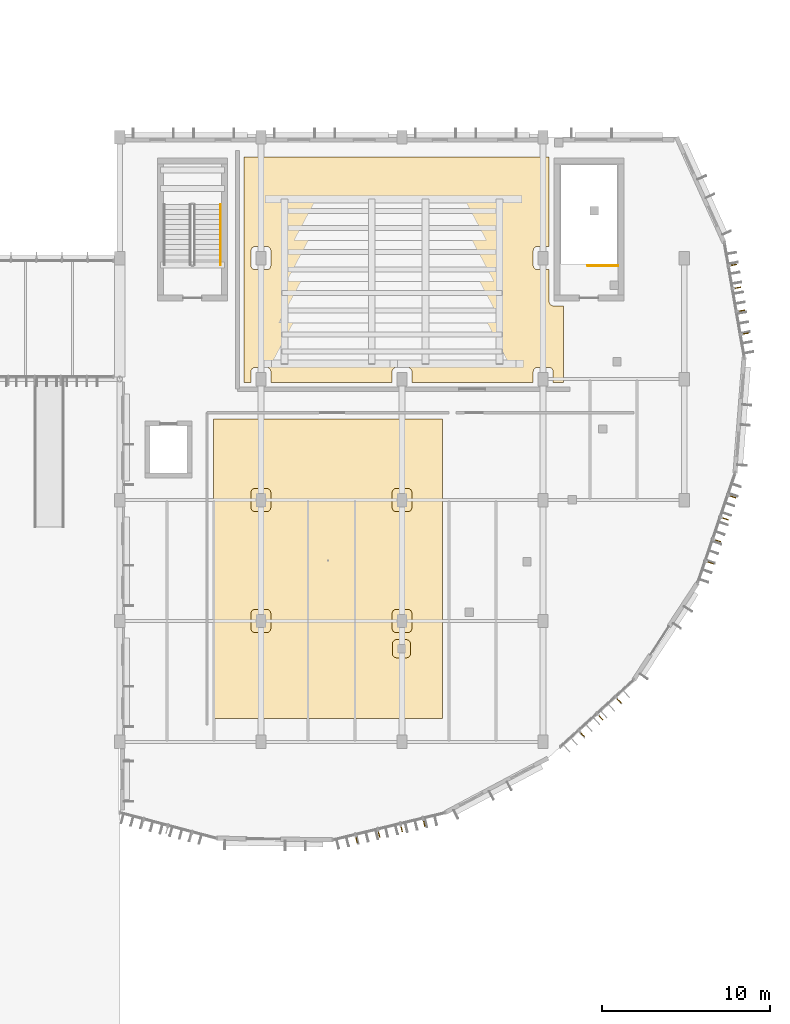
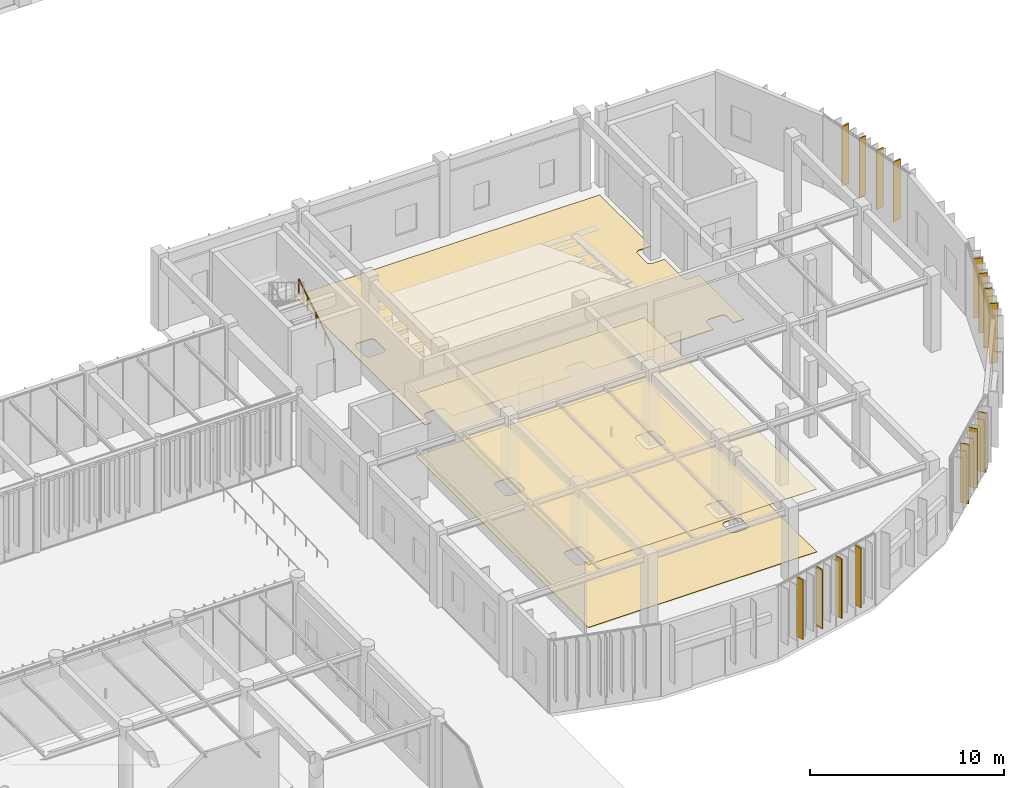
# One storey, part 121 of 122: 15 shading devices, 3 coverings, 2 railings.
"""IFC4 building model written with IfcOpenShell, lengths in metres."""

import ifcopenshell
import ifcopenshell.guid

model = None  # the IFC model being written
_history = None  # IfcOwnerHistory: only IFC2X3 demands one
_inside = {}  # id of a spatial element -> (the spatial element, [elements in it])
_under = {}  # id of a project, library or spatial element -> (it, [spatial elements below it])
_declared = {}  # id of a project -> (the project, [libraries it declares])
_typed = {}  # id of a type object -> (the type object, [elements of that type])
_made_of = {}  # id of a material, layer set ... -> (it, [elements and type objects made of it])


def new_model(schema):
    """Start an empty IFC model of exactly this schema.

    Asked for "IFC4X3", IfcOpenShell would pick the latest addendum, in which some entities
    have other attributes; the version numbers below select the first issue.
    IFC2X3 requires an IfcOwnerHistory on every rooted entity: one is made here for all.
    """
    global model, _history
    if schema == "IFC4X3":
        model = ifcopenshell.file(schema_version=(4, 3, 0, 0))
    else:
        model = ifcopenshell.file(schema=schema)
    _inside.clear()
    _under.clear()
    _declared.clear()
    _typed.clear()
    _made_of.clear()
    _history = None
    if model.schema == "IFC2X3":
        org = make("IfcOrganization", Name="unknown")
        user = make(
            "IfcPersonAndOrganization",
            ThePerson=make("IfcPerson", FamilyName="unknown"),
            TheOrganization=org,
        )
        app = make(
            "IfcApplication",
            ApplicationDeveloper=org,
            Version="unknown",
            ApplicationFullName="unknown",
            ApplicationIdentifier="unknown",
        )
        _history = make(
            "IfcOwnerHistory",
            OwningUser=user,
            OwningApplication=app,
            ChangeAction="ADDED",
            CreationDate=0,
        )
    return model


def make(cls, **values):
    """One entity of the class cls with the attributes given. An attribute that is None is left unset."""
    return model.create_entity(
        cls, **{name: value for name, value in values.items() if value is not None}
    )


def rooted(cls, **values):
    """An entity with a GlobalId (a new one), such as an element, a storey or a relation."""
    return make(cls, GlobalId=ifcopenshell.guid.new(), OwnerHistory=_history, **values)


def si_unit(unit_type, name, prefix=None):
    """IfcSIUnit, for example si_unit("LENGTHUNIT", "METRE", prefix="MILLI")."""
    return make("IfcSIUnit", UnitType=unit_type, Prefix=prefix, Name=name)


def assignment(units):
    """IfcUnitAssignment: the units of a project."""
    return None if units is None else make("IfcUnitAssignment", Units=units)


def point(xyz):
    """IfcCartesianPoint."""
    return None if xyz is None else make("IfcCartesianPoint", Coordinates=xyz)


def direction(xyz):
    """IfcDirection."""
    return None if xyz is None else make("IfcDirection", DirectionRatios=xyz)


def frame(location, z_axis=None, x_axis=None):
    """IfcAxis2Placement3D, a coordinate frame: its origin and axes. An axis left out is left unset."""
    return make(
        "IfcAxis2Placement3D",
        Location=point(location),
        Axis=direction(z_axis),
        RefDirection=direction(x_axis),
    )


def frame_2d(location, x_axis=None):
    """IfcAxis2Placement2D, a coordinate frame in the plane: its origin and x axis."""
    return make(
        "IfcAxis2Placement2D", Location=point(location), RefDirection=direction(x_axis)
    )


def origin():
    """The frame at (0, 0, 0) with its axes left unset."""
    return frame((0.0, 0.0, 0.0))


def origin_2d():
    """The frame at (0, 0) in the plane with its x axis left unset."""
    return frame_2d((0.0, 0.0))


def place(relative_to, where):
    """IfcLocalPlacement: puts the frame where relative to a parent placement (None: the world)."""
    return make(
        "IfcLocalPlacement", PlacementRelTo=relative_to, RelativePlacement=where
    )


def context(
    kind, dimensions, precision=None, world=None, true_north=None, identifier=None
):
    """IfcGeometricRepresentationContext, for example the 3D "Model" context."""
    return make(
        "IfcGeometricRepresentationContext",
        ContextIdentifier=identifier,
        ContextType=kind,
        CoordinateSpaceDimension=dimensions,
        Precision=precision,
        WorldCoordinateSystem=world,
        TrueNorth=true_north,
    )


def subcontext(parent, identifier, kind, view, scale=None):
    """IfcGeometricRepresentationSubContext, for example "Body" below "Model"."""
    return make(
        "IfcGeometricRepresentationSubContext",
        ContextIdentifier=identifier,
        ContextType=kind,
        ParentContext=parent,
        TargetScale=scale,
        TargetView=view,
    )


def project(units=None, contexts=None):
    """IfcProject with its units and contexts."""
    return rooted(
        "IfcProject",
        Name="project",
        RepresentationContexts=contexts,
        UnitsInContext=assignment(units),
    )


def spatial(cls, under=None, at=None, **own):
    """A site, building, storey or space (cls), placed at a placement, below another one or the project."""
    s = rooted(cls, ObjectPlacement=at, **own)
    if under is not None:
        _under.setdefault(under.id(), (under, []))[1].append(s)
    return s


def polyline(points):
    """IfcPolyline through the points."""
    return make("IfcPolyline", Points=[point(p) for p in points])


def profile(cls, at=None, kind="AREA", **sizes):
    """A parametric profile (cls). Its sizes go by their IFC names, for example OverallWidth=200.0."""
    return make(cls, ProfileType=kind, Position=at, **sizes)


def rectangle(**sizes):
    """IfcRectangleProfileDef."""
    return profile("IfcRectangleProfileDef", **sizes)


def circle(**sizes):
    """IfcCircleProfileDef."""
    return profile("IfcCircleProfileDef", **sizes)


def outline(outer, holes=None, kind="AREA"):
    """IfcArbitraryClosedProfileDef: a profile drawn as a closed curve; with holes, ...WithVoids."""
    if holes is None:
        return make("IfcArbitraryClosedProfileDef", ProfileType=kind, OuterCurve=outer)
    return make(
        "IfcArbitraryProfileDefWithVoids",
        ProfileType=kind,
        OuterCurve=outer,
        InnerCurves=holes,
    )


def extrude(swept, where, along, depth):
    """IfcExtrudedAreaSolid: the profile swept, set in the frame where, extruded along a direction by depth."""
    return make(
        "IfcExtrudedAreaSolid",
        SweptArea=swept,
        Position=where,
        ExtrudedDirection=direction(along),
        Depth=depth,
    )


def shape(context_of_items, identifier, shape_type, items):
    """IfcShapeRepresentation: the items that make up one representation, for example the "Body"."""
    return make(
        "IfcShapeRepresentation",
        ContextOfItems=context_of_items,
        RepresentationIdentifier=identifier,
        RepresentationType=shape_type,
        Items=items,
    )


def material(Name=None, Category=None):
    """IfcMaterial."""
    return make("IfcMaterial", Name=Name, Category=Category)


def layer(
    of_material, thickness, ventilated=None, Name=None, Category=None, Priority=None
):
    """IfcMaterialLayer: one layer of a wall or slab, of a material (None: an air gap)."""
    return make(
        "IfcMaterialLayer",
        Material=of_material,
        LayerThickness=thickness,
        IsVentilated=ventilated,
        Name=Name,
        Category=Category,
        Priority=Priority,
    )


def layer_set(layers, Name=None):
    """IfcMaterialLayerSet."""
    return make("IfcMaterialLayerSet", MaterialLayers=layers, LayerSetName=Name)


def material_profile(
    of_material, cross_section, Name=None, Category=None, Priority=None
):
    """IfcMaterialProfile: a cross section and its material."""
    return make(
        "IfcMaterialProfile",
        Name=Name,
        Material=of_material,
        Profile=cross_section,
        Priority=Priority,
        Category=Category,
    )


def profile_set(profiles, Name=None, composite=None):
    """IfcMaterialProfileSet."""
    return make(
        "IfcMaterialProfileSet",
        Name=Name,
        MaterialProfiles=profiles,
        CompositeProfile=composite,
    )


def made_of(thing, what):
    """Note that an element or type object is made of a material, layer set ...; save() writes the relation."""
    if what is not None:
        _made_of.setdefault(what.id(), (what, []))[1].append(thing)
    return thing


def type_object(cls, material=None, **own):
    """A type object (cls), such as IfcWallType, which elements share."""
    return made_of(rooted(cls, **own), material)


def element(
    cls,
    number,
    at=None,
    inside=None,
    cuts=None,
    type_object=None,
    material=None,
    context=None,
    identifier="Body",
    shape_type=None,
    held_by="IfcProductDefinitionShape",
    body=None,
    shapes=None,
    **own,
):
    """One element of the class cls, such as IfcWall. Its Tag is "e" and its number.

    at: its placement. inside: the storey or other place that contains it. cuts: it is an
    opening in that element (IfcRelVoidsElement). A single representation is given by context,
    identifier, shape_type and body (its items); several are given by shapes. held_by: the class
    of the entity that holds the representations. save() writes the other relations.
    """
    e = rooted(cls, Tag="e%d" % number, ObjectPlacement=at, **own)
    if body is not None:
        shapes = [shape(context, identifier, shape_type, body)]
    if shapes is not None:
        e.Representation = make(held_by, Representations=shapes)
    if inside is not None:
        _inside.setdefault(inside.id(), (inside, []))[1].append(e)
    if cuts is not None:
        rooted(
            "IfcRelVoidsElement", RelatingBuildingElement=cuts, RelatedOpeningElement=e
        )
    if type_object is not None:
        _typed.setdefault(type_object.id(), (type_object, []))[1].append(e)
    return made_of(e, material)


def aggregate(whole, parts):
    """IfcRelAggregates: a whole, such as a stair, and the parts it consists of."""
    return rooted("IfcRelAggregates", RelatingObject=whole, RelatedObjects=parts)


def save(model, path):
    """Write the relations noted so far, then the file.

    IfcRelAggregates (storeys below a building ...), IfcRelContainedInSpatialStructure (elements
    in a storey), IfcRelDefinesByType, IfcRelAssociatesMaterial and IfcRelDeclares: one each for
    every whole, place, type object, material and project.
    """
    for whole, parts in _under.values():
        aggregate(whole, parts)
    for where, things in _inside.values():
        rooted(
            "IfcRelContainedInSpatialStructure",
            RelatedElements=things,
            RelatingStructure=where,
        )
    for kind, things in _typed.values():
        rooted("IfcRelDefinesByType", RelatedObjects=things, RelatingType=kind)
    for what, things in _made_of.values():
        rooted("IfcRelAssociatesMaterial", RelatedObjects=things, RelatingMaterial=what)
    for by, libraries in _declared.values():
        rooted("IfcRelDeclares", RelatingContext=by, RelatedDefinitions=libraries)
    model.write(path)


model = new_model("IFC4")

# Units and contexts
model_context = context("Model", 3, precision=1e-05, world=origin(), true_north=direction((0.0, 1.0)))
body_context = subcontext(model_context, "Body", "Model", "MODEL_VIEW")
ifc_project = project(units=[si_unit("LENGTHUNIT", "METRE"), si_unit("AREAUNIT", "SQUARE_METRE"), si_unit("VOLUMEUNIT", "CUBIC_METRE"), si_unit("PLANEANGLEUNIT", "RADIAN"), si_unit("MASSUNIT", "GRAM", prefix="KILO")], contexts=[model_context])

# Site, building, storey
site_placement = place(None, origin())
site = spatial("IfcSite", under=ifc_project, at=site_placement, CompositionType="ELEMENT")
building_placement = place(site_placement, origin())
building = spatial("IfcBuilding", under=site, at=building_placement, Name="Tazoul Stagehouse", CompositionType="ELEMENT")
storey_placement = place(building_placement, origin())
storey = spatial("IfcBuildingStorey", under=building, at=storey_placement, Name="L00", CompositionType="ELEMENT", Elevation=0.0)

# Shading devices
ifc_material_1 = material(Name="Anodised Bronze Aluminium 6063-T6", Category="aluminium")
ifc_layer_1 = layer(ifc_material_1, 0.050048828125, Name="Anodised Bronze Aluminium 6063-T6")
ifc_layer_set_1 = layer_set([ifc_layer_1], Name="Anodised Bronze Aluminium 6063-T6")
shading_device_type_1 = type_object("IfcShadingDeviceType", Name="Angled Acoustic Sun-Screen Blade 460", PredefinedType="USERDEFINED", material=ifc_layer_set_1)
for number, where, z_axis, x_axis, name in (
    (1, (139.477783203125, 17.223388671875, 0.75), (0.0, 0.0, 1.0), (0.972063098492, 0.234719689311, 0.0), "Shading Louvre FIN-02 CW-V4-DRUM-L00-S03-SHD01"),
    (2, (142.16455078125, 17.8720703125, 0.75), (0.0, 0.0, 1.0), (0.972063098492, 0.234719689311, 0.0), "Shading Louvre FIN-02 CW-V4-DRUM-L00-S03-SHD03"),
    (3, (152.897705078125, 23.48388671875, 0.75), (0.0, 0.0, 1.0), (0.739150483547, 0.673540320005, 0.0), "Shading Louvre FIN-02 CW-V4-DRUM-L00-S05-SHD01"),
    (4, (155.090087890625, 25.4814453125, 0.75), (0.0, 0.0, 1.0), (0.739150483547, 0.673540320005, 0.0), "Shading Louvre FIN-02 CW-V4-DRUM-L00-S05-SHD03"),
    (5, (160.50146484375, 33.681640625, 0.75), (0.0, 0.0, 1.0), (0.323785316605, 0.946130577009, 0.0), "Shading Louvre FIN-02 CW-V4-DRUM-L00-S07-SHD01"),
    (6, (161.396484375, 36.296875, 0.75), (0.0, 0.0, 1.0), (0.323785316605, 0.946130577009, 0.0), "Shading Louvre FIN-02 CW-V4-DRUM-L00-S07-SHD03"),
    (7, (162.608642578125, 47.30126953125, 0.75), (0.0, 0.0, 1.0), (-0.171495809953, 0.985184849238, 0.0), "Shading Louvre FIN-02 CW-V4-DRUM-L00-S09-SHD01"),
    (8, (162.134521484375, 50.0244140625, 0.75), (0.0, 0.0, 1.0), (-0.171495809953, 0.985184849238, 0.0), "Shading Louvre FIN-02 CW-V4-DRUM-L00-S09-SHD03"),
):
    element("IfcShadingDevice", number, at=place(storey_placement, frame(where, z_axis=z_axis, x_axis=x_axis)), inside=storey, type_object=shading_device_type_1, Name=name, ObjectType="FIN", PredefinedType="USERDEFINED", context=body_context, shape_type="SweptSolid", body=[
        extrude(rectangle(XDim=0.044921875, YDim=0.4599609375, at=origin_2d()), origin(), (0.0, 0.0, 1.0), 3.75),
    ])

# Railing
ifc_material_2 = material(Name="Brushed Stainless Steel 316L", Category="steel")
ifc_material_profile_1 = material_profile(ifc_material_2, circle(Radius=0.02392578125, at=origin_2d()), Name="SS RAIL D48")
ifc_profile_set_1 = profile_set([ifc_material_profile_1], Name="Brushed Stainless Steel 316L")
railing_type_1 = type_object("IfcRailingType", Name="Architectural Guardrail H1120", PredefinedType="GUARDRAIL", material=ifc_profile_set_1)
railing_1_placement = place(storey_placement, frame((155.050048828125, 51.35009765625, 0.0)))
element("IfcRailing", 9, at=railing_1_placement, inside=storey, type_object=railing_type_1, Name="L00 ST-B7 top well guard 1", PredefinedType="GUARDRAIL", context=body_context, shape_type="SweptSolid", body=[
    extrude(circle(Radius=0.02392578125, at=origin_2d()), frame((0.0, 0.0, 1.09619140625), z_axis=(-1.0, 0.0, 0.0), x_axis=(0.0, -1.0, 0.0)), (0.0, 0.0, 1.0), 1.800048828125),
    extrude(circle(Radius=0.02099609375, at=origin_2d()), origin(), (0.0, 0.0, 1.0), 1.072021484375),
    extrude(circle(Radius=0.02099609375, at=origin_2d()), frame((-0.89990234375, 0.0, 0.0)), (0.0, 0.0, 1.0), 1.072021484375),
    extrude(circle(Radius=0.02099609375, at=origin_2d()), frame((-1.800048828125, 0.0, 0.0)), (0.0, 0.0, 1.0), 1.072021484375),
])

# Covering
ifc_material_3 = material(Name="Acoustic Cedar Timber", Category="wood")
ifc_layer_2 = layer(ifc_material_3, 0.0400390625, Name="Acoustic Cedar Timber")
ifc_layer_set_2 = layer_set([ifc_layer_2], Name="Acoustic Cedar Timber")
covering_type_1 = type_object("IfcCoveringType", Name="Atlas Cedar Sprung Stage & Hall Flooring 40", PredefinedType="FLOORING", material=ifc_layer_set_2)
covering_1_placement = place(storey_placement, origin())
element("IfcCovering", 10, at=covering_1_placement, inside=storey, type_object=covering_type_1, Name="L00 Flexible Studio Theatre Bowl Flooring", PredefinedType="FLOORING", context=body_context, shape_type="SweptSolid", body=[
    extrude(outline(polyline([(150.9609375, 57.81005859375), (150.9599609375, 57.7900390625), (150.9599609375, 52.489013671875), (150.93994140625, 52.489990234375), (150.260009765625, 52.489990234375), (150.235595703125, 52.48876953125), (150.211181640625, 52.485107421875), (150.1875, 52.479248046875), (150.164306640625, 52.470947265625), (150.14208984375, 52.46044921875), (150.12109375, 52.447998046875), (150.101318359375, 52.433349609375), (150.083251953125, 52.416748046875), (150.066650390625, 52.398681640625), (150.052001953125, 52.37890625), (150.03955078125, 52.35791015625), (150.029052734375, 52.335693359375), (150.020751953125, 52.3125), (150.014892578125, 52.288818359375), (150.01123046875, 52.264404296875), (150.010009765625, 52.239990234375), (150.010009765625, 51.360107421875), (150.01123046875, 51.33544921875), (150.014892578125, 51.311279296875), (150.020751953125, 51.287353515625), (150.029052734375, 51.264404296875), (150.03955078125, 51.2421875), (150.052001953125, 51.22119140625), (150.066650390625, 51.201416015625), (150.083251953125, 51.18310546875), (150.101318359375, 51.166748046875), (150.12109375, 51.152099609375), (150.14208984375, 51.139404296875), (150.164306640625, 51.12890625), (150.1875, 51.120849609375), (150.211181640625, 51.11474609375), (150.235595703125, 51.111083984375), (150.260009765625, 51.110107421875), (150.93994140625, 51.110107421875), (150.9599609375, 51.111083984375), (150.9599609375, 49.2099609375), (150.961181640625, 49.185546875), (150.96484375, 49.1611328125), (150.970703125, 49.137451171875), (150.97900390625, 49.1142578125), (150.989501953125, 49.09228515625), (151.002197265625, 49.071044921875), (151.0166015625, 49.051513671875), (151.033203125, 49.033203125), (151.051513671875, 49.0166015625), (151.071044921875, 49.002197265625), (151.09228515625, 48.989501953125), (151.1142578125, 48.97900390625), (151.137451171875, 48.970703125), (151.1611328125, 48.96484375), (151.185546875, 48.961181640625), (151.2099609375, 48.9599609375), (151.81005859375, 48.9599609375), (151.81005859375, 44.389892578125), (151.18994140625, 44.389892578125), (151.18994140625, 45.0400390625), (151.188720703125, 45.064453125), (151.185302734375, 45.0888671875), (151.17919921875, 45.112548828125), (151.1708984375, 45.1357421875), (151.160400390625, 45.15771484375), (151.14794921875, 45.178955078125), (151.13330078125, 45.198486328125), (151.11669921875, 45.216796875), (151.0986328125, 45.2333984375), (151.078857421875, 45.247802734375), (151.057861328125, 45.260498046875), (151.03564453125, 45.27099609375), (151.0126953125, 45.279296875), (150.98876953125, 45.28515625), (150.964599609375, 45.288818359375), (150.93994140625, 45.2900390625), (150.260009765625, 45.2900390625), (150.235595703125, 45.288818359375), (150.211181640625, 45.28515625), (150.1875, 45.279296875), (150.164306640625, 45.27099609375), (150.14208984375, 45.260498046875), (150.12109375, 45.247802734375), (150.101318359375, 45.2333984375), (150.083251953125, 45.216796875), (150.066650390625, 45.198486328125), (150.052001953125, 45.178955078125), (150.03955078125, 45.15771484375), (150.029052734375, 45.1357421875), (150.020751953125, 45.112548828125), (150.014892578125, 45.0888671875), (150.01123046875, 45.064453125), (150.010009765625, 45.0400390625), (150.010009765625, 44.389892578125), (142.7900390625, 44.389892578125), (142.7900390625, 45.0400390625), (142.788818359375, 45.064453125), (142.78515625, 45.0888671875), (142.779296875, 45.112548828125), (142.77099609375, 45.1357421875), (142.760498046875, 45.15771484375), (142.747802734375, 45.178955078125), (142.7333984375, 45.198486328125), (142.716796875, 45.216796875), (142.698486328125, 45.2333984375), (142.678955078125, 45.247802734375), (142.65771484375, 45.260498046875), (142.6357421875, 45.27099609375), (142.612548828125, 45.279296875), (142.5888671875, 45.28515625), (142.564453125, 45.288818359375), (142.5400390625, 45.2900390625), (141.860107421875, 45.2900390625), (141.83544921875, 45.288818359375), (141.811279296875, 45.28515625), (141.787353515625, 45.279296875), (141.764404296875, 45.27099609375), (141.7421875, 45.260498046875), (141.72119140625, 45.247802734375), (141.701416015625, 45.2333984375), (141.68310546875, 45.216796875), (141.666748046875, 45.198486328125), (141.652099609375, 45.178955078125), (141.639404296875, 45.15771484375), (141.62890625, 45.1357421875), (141.620849609375, 45.112548828125), (141.61474609375, 45.0888671875), (141.611083984375, 45.064453125), (141.610107421875, 45.0400390625), (141.610107421875, 44.389892578125), (134.389892578125, 44.389892578125), (134.389892578125, 45.0400390625), (134.388916015625, 45.064453125), (134.38525390625, 45.0888671875), (134.379150390625, 45.112548828125), (134.37109375, 45.1357421875), (134.360595703125, 45.15771484375), (134.347900390625, 45.178955078125), (134.333251953125, 45.198486328125), (134.31689453125, 45.216796875), (134.298583984375, 45.2333984375), (134.27880859375, 45.247802734375), (134.2578125, 45.260498046875), (134.235595703125, 45.27099609375), (134.212646484375, 45.279296875), (134.188720703125, 45.28515625), (134.16455078125, 45.288818359375), (134.139892578125, 45.2900390625), (133.4599609375, 45.2900390625), (133.435546875, 45.288818359375), (133.4111328125, 45.28515625), (133.387451171875, 45.279296875), (133.3642578125, 45.27099609375), (133.34228515625, 45.260498046875), (133.321044921875, 45.247802734375), (133.301513671875, 45.2333984375), (133.283203125, 45.216796875), (133.2666015625, 45.198486328125), (133.252197265625, 45.178955078125), (133.239501953125, 45.15771484375), (133.22900390625, 45.1357421875), (133.220703125, 45.112548828125), (133.21484375, 45.0888671875), (133.211181640625, 45.064453125), (133.2099609375, 45.0400390625), (133.2099609375, 44.389892578125), (132.7900390625, 44.389892578125), (132.7900390625, 57.81005859375), (150.9609375, 57.81005859375)]), holes=[polyline([(134.388916015625, 52.264404296875), (134.38525390625, 52.288818359375), (134.379150390625, 52.3125), (134.37109375, 52.335693359375), (134.360595703125, 52.35791015625), (134.347900390625, 52.37890625), (134.333251953125, 52.398681640625), (134.31689453125, 52.416748046875), (134.298583984375, 52.433349609375), (134.27880859375, 52.447998046875), (134.2578125, 52.46044921875), (134.235595703125, 52.470947265625), (134.212646484375, 52.479248046875), (134.188720703125, 52.485107421875), (134.16455078125, 52.48876953125), (134.139892578125, 52.489990234375), (133.4599609375, 52.489990234375), (133.435546875, 52.48876953125), (133.4111328125, 52.485107421875), (133.387451171875, 52.479248046875), (133.3642578125, 52.470947265625), (133.34228515625, 52.46044921875), (133.321044921875, 52.447998046875), (133.301513671875, 52.433349609375), (133.283203125, 52.416748046875), (133.2666015625, 52.398681640625), (133.252197265625, 52.37890625), (133.239501953125, 52.35791015625), (133.22900390625, 52.335693359375), (133.220703125, 52.3125), (133.21484375, 52.288818359375), (133.211181640625, 52.264404296875), (133.2099609375, 52.239990234375), (133.2099609375, 51.360107421875), (133.211181640625, 51.33544921875), (133.21484375, 51.311279296875), (133.220703125, 51.287353515625), (133.22900390625, 51.264404296875), (133.239501953125, 51.2421875), (133.252197265625, 51.22119140625), (133.2666015625, 51.201416015625), (133.283203125, 51.18310546875), (133.301513671875, 51.166748046875), (133.321044921875, 51.152099609375), (133.34228515625, 51.139404296875), (133.3642578125, 51.12890625), (133.387451171875, 51.120849609375), (133.4111328125, 51.11474609375), (133.435546875, 51.111083984375), (133.4599609375, 51.110107421875), (134.139892578125, 51.110107421875), (134.16455078125, 51.111083984375), (134.188720703125, 51.11474609375), (134.212646484375, 51.120849609375), (134.235595703125, 51.12890625), (134.2578125, 51.139404296875), (134.27880859375, 51.152099609375), (134.298583984375, 51.166748046875), (134.31689453125, 51.18310546875), (134.333251953125, 51.201416015625), (134.347900390625, 51.22119140625), (134.360595703125, 51.2421875), (134.37109375, 51.264404296875), (134.379150390625, 51.287353515625), (134.38525390625, 51.311279296875), (134.388916015625, 51.33544921875), (134.389892578125, 51.360107421875), (134.389892578125, 52.239990234375), (134.388916015625, 52.264404296875)])]), origin(), (0.0, 0.0, 1.0), 0.0400390625),
])

# Railing
ifc_material_profile_2 = material_profile(ifc_material_2, circle(Radius=0.02099609375, at=origin_2d()), Name="SS HANDRAIL D42")
ifc_profile_set_2 = profile_set([ifc_material_profile_2], Name="Brushed Stainless Steel 316L")
railing_type_2 = type_object("IfcRailingType", Name="Continuous Stair Handrail H900", PredefinedType="HANDRAIL", material=ifc_profile_set_2)
railing_2_placement = place(storey_placement, frame((131.39990234375, 51.39990234375, 0.1845703125)))
element("IfcRailing", 11, at=railing_2_placement, inside=storey, type_object=railing_type_2, Name="L00 ST-07 stair handrail 1", PredefinedType="HANDRAIL", context=body_context, shape_type="SweptSolid", body=[
    extrude(circle(Radius=0.02392578125, at=origin_2d()), frame((0.0, 0.0, 0.8759765625), z_axis=(0.0, 0.85167021472, 0.524078090897), x_axis=(-1.0, 0.0, 0.0)), (0.0, 0.0, 1.0), 4.22705078125),
    extrude(circle(Radius=0.02099609375, at=origin_2d()), origin(), (0.0, 0.0, 1.0), 0.851806640625),
    extrude(circle(Radius=0.02099609375, at=origin_2d()), frame((0.0, 0.89990234375, 0.5537109375)), (0.0, 0.0, 1.0), 0.851806640625),
    extrude(circle(Radius=0.02099609375, at=origin_2d()), frame((0.0, 1.800048828125, 1.107666015625)), (0.0, 0.0, 1.0), 0.851806640625),
    extrude(circle(Radius=0.02099609375, at=origin_2d()), frame((0.0, 2.7001953125, 1.66162109375)), (0.0, 0.0, 1.0), 0.851806640625),
    extrude(circle(Radius=0.02099609375, at=origin_2d()), frame((0.0, 3.60009765625, 2.21533203125)), (0.0, 0.0, 1.0), 0.851806640625),
])

# Coverings
ifc_material_4 = material(Name="Gypsum Acoustic Partition", Category="gypsum")
ifc_layer_3 = layer(ifc_material_4, 0.034912109375, Name="Gypsum Acoustic Partition")
ifc_layer_set_3 = layer_set([ifc_layer_3], Name="Gypsum Acoustic Partition")
covering_type_2 = type_object("IfcCoveringType", Name="Gypsum Acoustic Foyer Suspended Ceiling 35", PredefinedType="CEILING", material=ifc_layer_set_3)
covering_2_placement = place(storey_placement, frame((0.0, 0.0, 3.955078125)))
element("IfcCovering", 12, at=covering_2_placement, inside=storey, type_object=covering_type_2, Name="L00 Cultural Bookshop and Espresso Cafe Suspended Ceiling", PredefinedType="CEILING", context=body_context, shape_type="SweptSolid", body=[
    extrude(outline(polyline([(144.610107421875, 42.2099609375), (144.610107421875, 24.389892578125), (130.989990234375, 24.389892578125), (130.989990234375, 42.2099609375), (144.610107421875, 42.2099609375)])), origin(), (0.0, 0.0, 1.0), 0.034912109375),
])
ifc_material_5 = material(Name="Honed Rabat Calcarenite Stone", Category="masonry")
ifc_layer_4 = layer(ifc_material_5, 0.030029296875, Name="Honed Rabat Calcarenite Stone")
ifc_layer_set_4 = layer_set([ifc_layer_4], Name="Honed Rabat Calcarenite Stone")
covering_type_3 = type_object("IfcCoveringType", Name="Honed Rabat Limestone Foyer Flooring 30", PredefinedType="FLOORING", material=ifc_layer_set_4)
covering_3_placement = place(storey_placement, origin())
element("IfcCovering", 13, at=covering_3_placement, inside=storey, type_object=covering_type_3, Name="L00 Cultural Bookshop and Espresso Cafe Flooring", PredefinedType="FLOORING", context=body_context, shape_type="SweptSolid", body=[
    extrude(outline(polyline([(144.610107421875, 42.2099609375), (144.610107421875, 24.389892578125), (130.989990234375, 24.389892578125), (130.989990234375, 42.2099609375), (144.610107421875, 42.2099609375)]), holes=[polyline([(142.788818359375, 30.66455078125), (142.78515625, 30.688720703125), (142.779296875, 30.712646484375), (142.77099609375, 30.735595703125), (142.760498046875, 30.7578125), (142.747802734375, 30.77880859375), (142.7333984375, 30.798583984375), (142.716796875, 30.81689453125), (142.698486328125, 30.833251953125), (142.678955078125, 30.847900390625), (142.65771484375, 30.860595703125), (142.6357421875, 30.87109375), (142.612548828125, 30.879150390625), (142.5888671875, 30.88525390625), (142.564453125, 30.888916015625), (142.5400390625, 30.889892578125), (141.860107421875, 30.889892578125), (141.83544921875, 30.888916015625), (141.811279296875, 30.88525390625), (141.787353515625, 30.879150390625), (141.764404296875, 30.87109375), (141.7421875, 30.860595703125), (141.72119140625, 30.847900390625), (141.701416015625, 30.833251953125), (141.68310546875, 30.81689453125), (141.666748046875, 30.798583984375), (141.652099609375, 30.77880859375), (141.639404296875, 30.7578125), (141.62890625, 30.735595703125), (141.620849609375, 30.712646484375), (141.61474609375, 30.688720703125), (141.611083984375, 30.66455078125), (141.610107421875, 30.639892578125), (141.610107421875, 29.760009765625), (141.611083984375, 29.735595703125), (141.61474609375, 29.711181640625), (141.620849609375, 29.6875), (141.62890625, 29.664306640625), (141.639404296875, 29.64208984375), (141.652099609375, 29.62109375), (141.666748046875, 29.601318359375), (141.68310546875, 29.583251953125), (141.701416015625, 29.566650390625), (141.72119140625, 29.552001953125), (141.7421875, 29.53955078125), (141.764404296875, 29.529052734375), (141.787353515625, 29.520751953125), (141.811279296875, 29.514892578125), (141.83544921875, 29.51123046875), (141.860107421875, 29.510009765625), (142.5400390625, 29.510009765625), (142.564453125, 29.51123046875), (142.5888671875, 29.514892578125), (142.612548828125, 29.520751953125), (142.6357421875, 29.529052734375), (142.65771484375, 29.53955078125), (142.678955078125, 29.552001953125), (142.698486328125, 29.566650390625), (142.716796875, 29.583251953125), (142.7333984375, 29.601318359375), (142.747802734375, 29.62109375), (142.760498046875, 29.64208984375), (142.77099609375, 29.664306640625), (142.779296875, 29.6875), (142.78515625, 29.711181640625), (142.788818359375, 29.735595703125), (142.7900390625, 29.760009765625), (142.7900390625, 30.639892578125), (142.788818359375, 30.66455078125)]), polyline([(142.788818359375, 37.864501953125), (142.78515625, 37.888916015625), (142.779296875, 37.91259765625), (142.77099609375, 37.935791015625), (142.760498046875, 37.957763671875), (142.747802734375, 37.97900390625), (142.7333984375, 37.99853515625), (142.716796875, 38.016845703125), (142.698486328125, 38.033203125), (142.678955078125, 38.0478515625), (142.65771484375, 38.060546875), (142.6357421875, 38.071044921875), (142.612548828125, 38.0791015625), (142.5888671875, 38.085205078125), (142.564453125, 38.0888671875), (142.5400390625, 38.090087890625), (141.860107421875, 38.090087890625), (141.83544921875, 38.0888671875), (141.811279296875, 38.085205078125), (141.787353515625, 38.0791015625), (141.764404296875, 38.071044921875), (141.7421875, 38.060546875), (141.72119140625, 38.0478515625), (141.701416015625, 38.033203125), (141.68310546875, 38.016845703125), (141.666748046875, 37.99853515625), (141.652099609375, 37.97900390625), (141.639404296875, 37.957763671875), (141.62890625, 37.935791015625), (141.620849609375, 37.91259765625), (141.61474609375, 37.888916015625), (141.611083984375, 37.864501953125), (141.610107421875, 37.840087890625), (141.610107421875, 36.9599609375), (141.611083984375, 36.935546875), (141.61474609375, 36.9111328125), (141.620849609375, 36.887451171875), (141.62890625, 36.8642578125), (141.639404296875, 36.84228515625), (141.652099609375, 36.821044921875), (141.666748046875, 36.801513671875), (141.68310546875, 36.783203125), (141.701416015625, 36.7666015625), (141.72119140625, 36.752197265625), (141.7421875, 36.739501953125), (141.764404296875, 36.72900390625), (141.787353515625, 36.720703125), (141.811279296875, 36.71484375), (141.83544921875, 36.711181640625), (141.860107421875, 36.7099609375), (142.5400390625, 36.7099609375), (142.564453125, 36.711181640625), (142.5888671875, 36.71484375), (142.612548828125, 36.720703125), (142.6357421875, 36.72900390625), (142.65771484375, 36.739501953125), (142.678955078125, 36.752197265625), (142.698486328125, 36.7666015625), (142.716796875, 36.783203125), (142.7333984375, 36.801513671875), (142.747802734375, 36.821044921875), (142.760498046875, 36.84228515625), (142.77099609375, 36.8642578125), (142.779296875, 36.887451171875), (142.78515625, 36.9111328125), (142.788818359375, 36.935546875), (142.7900390625, 36.9599609375), (142.7900390625, 37.840087890625), (142.788818359375, 37.864501953125)]), polyline([(142.705810546875, 28.864501953125), (142.7021484375, 28.888916015625), (142.696044921875, 28.91259765625), (142.68798828125, 28.935791015625), (142.677490234375, 28.957763671875), (142.664794921875, 28.97900390625), (142.650146484375, 28.99853515625), (142.6337890625, 29.016845703125), (142.615478515625, 29.033203125), (142.595703125, 29.0478515625), (142.57470703125, 29.060546875), (142.552490234375, 29.071044921875), (142.529541015625, 29.0791015625), (142.505615234375, 29.085205078125), (142.4814453125, 29.0888671875), (142.456787109375, 29.090087890625), (141.876953125, 29.090087890625), (141.852294921875, 29.0888671875), (141.828125, 29.085205078125), (141.80419921875, 29.0791015625), (141.78125, 29.071044921875), (141.759033203125, 29.060546875), (141.738037109375, 29.0478515625), (141.71826171875, 29.033203125), (141.7001953125, 29.016845703125), (141.68359375, 28.99853515625), (141.6689453125, 28.97900390625), (141.656494140625, 28.957763671875), (141.64599609375, 28.935791015625), (141.6376953125, 28.91259765625), (141.631591796875, 28.888916015625), (141.628173828125, 28.864501953125), (141.626953125, 28.840087890625), (141.626953125, 28.260009765625), (141.628173828125, 28.235595703125), (141.631591796875, 28.211181640625), (141.6376953125, 28.1875), (141.64599609375, 28.164306640625), (141.656494140625, 28.14208984375), (141.6689453125, 28.12109375), (141.68359375, 28.101318359375), (141.7001953125, 28.083251953125), (141.71826171875, 28.066650390625), (141.738037109375, 28.052001953125), (141.759033203125, 28.03955078125), (141.78125, 28.029052734375), (141.80419921875, 28.020751953125), (141.828125, 28.014892578125), (141.852294921875, 28.01123046875), (141.876953125, 28.010009765625), (142.456787109375, 28.010009765625), (142.4814453125, 28.01123046875), (142.505615234375, 28.014892578125), (142.529541015625, 28.020751953125), (142.552490234375, 28.029052734375), (142.57470703125, 28.03955078125), (142.595703125, 28.052001953125), (142.615478515625, 28.066650390625), (142.6337890625, 28.083251953125), (142.650146484375, 28.101318359375), (142.664794921875, 28.12109375), (142.677490234375, 28.14208984375), (142.68798828125, 28.164306640625), (142.696044921875, 28.1875), (142.7021484375, 28.211181640625), (142.705810546875, 28.235595703125), (142.706787109375, 28.260009765625), (142.706787109375, 28.840087890625), (142.705810546875, 28.864501953125)]), polyline([(134.388916015625, 30.66455078125), (134.38525390625, 30.688720703125), (134.379150390625, 30.712646484375), (134.37109375, 30.735595703125), (134.360595703125, 30.7578125), (134.347900390625, 30.77880859375), (134.333251953125, 30.798583984375), (134.31689453125, 30.81689453125), (134.298583984375, 30.833251953125), (134.27880859375, 30.847900390625), (134.2578125, 30.860595703125), (134.235595703125, 30.87109375), (134.212646484375, 30.879150390625), (134.188720703125, 30.88525390625), (134.16455078125, 30.888916015625), (134.139892578125, 30.889892578125), (133.4599609375, 30.889892578125), (133.435546875, 30.888916015625), (133.4111328125, 30.88525390625), (133.387451171875, 30.879150390625), (133.3642578125, 30.87109375), (133.34228515625, 30.860595703125), (133.321044921875, 30.847900390625), (133.301513671875, 30.833251953125), (133.283203125, 30.81689453125), (133.2666015625, 30.798583984375), (133.252197265625, 30.77880859375), (133.239501953125, 30.7578125), (133.22900390625, 30.735595703125), (133.220703125, 30.712646484375), (133.21484375, 30.688720703125), (133.211181640625, 30.66455078125), (133.2099609375, 30.639892578125), (133.2099609375, 29.760009765625), (133.211181640625, 29.735595703125), (133.21484375, 29.711181640625), (133.220703125, 29.6875), (133.22900390625, 29.664306640625), (133.239501953125, 29.64208984375), (133.252197265625, 29.62109375), (133.2666015625, 29.601318359375), (133.283203125, 29.583251953125), (133.301513671875, 29.566650390625), (133.321044921875, 29.552001953125), (133.34228515625, 29.53955078125), (133.3642578125, 29.529052734375), (133.387451171875, 29.520751953125), (133.4111328125, 29.514892578125), (133.435546875, 29.51123046875), (133.4599609375, 29.510009765625), (134.139892578125, 29.510009765625), (134.16455078125, 29.51123046875), (134.188720703125, 29.514892578125), (134.212646484375, 29.520751953125), (134.235595703125, 29.529052734375), (134.2578125, 29.53955078125), (134.27880859375, 29.552001953125), (134.298583984375, 29.566650390625), (134.31689453125, 29.583251953125), (134.333251953125, 29.601318359375), (134.347900390625, 29.62109375), (134.360595703125, 29.64208984375), (134.37109375, 29.664306640625), (134.379150390625, 29.6875), (134.38525390625, 29.711181640625), (134.388916015625, 29.735595703125), (134.389892578125, 29.760009765625), (134.389892578125, 30.639892578125), (134.388916015625, 30.66455078125)]), polyline([(134.388916015625, 37.864501953125), (134.38525390625, 37.888916015625), (134.379150390625, 37.91259765625), (134.37109375, 37.935791015625), (134.360595703125, 37.957763671875), (134.347900390625, 37.97900390625), (134.333251953125, 37.99853515625), (134.31689453125, 38.016845703125), (134.298583984375, 38.033203125), (134.27880859375, 38.0478515625), (134.2578125, 38.060546875), (134.235595703125, 38.071044921875), (134.212646484375, 38.0791015625), (134.188720703125, 38.085205078125), (134.16455078125, 38.0888671875), (134.139892578125, 38.090087890625), (133.4599609375, 38.090087890625), (133.435546875, 38.0888671875), (133.4111328125, 38.085205078125), (133.387451171875, 38.0791015625), (133.3642578125, 38.071044921875), (133.34228515625, 38.060546875), (133.321044921875, 38.0478515625), (133.301513671875, 38.033203125), (133.283203125, 38.016845703125), (133.2666015625, 37.99853515625), (133.252197265625, 37.97900390625), (133.239501953125, 37.957763671875), (133.22900390625, 37.935791015625), (133.220703125, 37.91259765625), (133.21484375, 37.888916015625), (133.211181640625, 37.864501953125), (133.2099609375, 37.840087890625), (133.2099609375, 36.9599609375), (133.211181640625, 36.935546875), (133.21484375, 36.9111328125), (133.220703125, 36.887451171875), (133.22900390625, 36.8642578125), (133.239501953125, 36.84228515625), (133.252197265625, 36.821044921875), (133.2666015625, 36.801513671875), (133.283203125, 36.783203125), (133.301513671875, 36.7666015625), (133.321044921875, 36.752197265625), (133.34228515625, 36.739501953125), (133.3642578125, 36.72900390625), (133.387451171875, 36.720703125), (133.4111328125, 36.71484375), (133.435546875, 36.711181640625), (133.4599609375, 36.7099609375), (134.139892578125, 36.7099609375), (134.16455078125, 36.711181640625), (134.188720703125, 36.71484375), (134.212646484375, 36.720703125), (134.235595703125, 36.72900390625), (134.2578125, 36.739501953125), (134.27880859375, 36.752197265625), (134.298583984375, 36.7666015625), (134.31689453125, 36.783203125), (134.333251953125, 36.801513671875), (134.347900390625, 36.821044921875), (134.360595703125, 36.84228515625), (134.37109375, 36.8642578125), (134.379150390625, 36.887451171875), (134.38525390625, 36.9111328125), (134.388916015625, 36.935546875), (134.389892578125, 36.9599609375), (134.389892578125, 37.840087890625), (134.388916015625, 37.864501953125)])]), origin(), (0.0, 0.0, 1.0), 0.030029296875),
])

# Shading devices
ifc_layer_5 = layer(ifc_material_1, 0.044921875, Name="Anodised Bronze Aluminium 6063-T6")
ifc_layer_set_5 = layer_set([ifc_layer_5], Name="Anodised Bronze Aluminium 6063-T6")
shading_device_type_2 = type_object("IfcShadingDeviceType", Name="Vertical Extruded Terracotta-Bronze Louvre 460", PredefinedType="JALOUSIE", material=ifc_layer_set_5)
for number, where, z_axis, x_axis, name in (
    (14, (140.821044921875, 17.547607421875, 0.75), (0.0, 0.0, 1.0), (0.972063098492, 0.234719689311, 0.0), "Shading Louvre FIN-01 CW-V4-DRUM-L00-S03-SHD02"),
    (15, (143.508056640625, 18.196533203125, 0.75), (0.0, 0.0, 1.0), (0.972063098492, 0.234719689311, 0.0), "Shading Louvre FIN-01 CW-V4-DRUM-L00-S03-SHD04"),
    (16, (153.993896484375, 24.482666015625, 0.75), (0.0, 0.0, 1.0), (0.739150483547, 0.673540320005, 0.0), "Shading Louvre FIN-01 CW-V4-DRUM-L00-S05-SHD02"),
    (17, (160.948974609375, 34.9892578125, 0.75), (0.0, 0.0, 1.0), (0.323785316605, 0.946130577009, 0.0), "Shading Louvre FIN-01 CW-V4-DRUM-L00-S07-SHD02"),
    (18, (161.843994140625, 37.6044921875, 0.75), (0.0, 0.0, 1.0), (0.323785316605, 0.946130577009, 0.0), "Shading Louvre FIN-01 CW-V4-DRUM-L00-S07-SHD04"),
    (19, (162.37158203125, 48.6630859375, 0.75), (0.0, 0.0, 1.0), (-0.171495809953, 0.985184849238, 0.0), "Shading Louvre FIN-01 CW-V4-DRUM-L00-S09-SHD02"),
    (20, (161.897705078125, 51.385986328125, 0.75), (0.0, 0.0, 1.0), (-0.171495809953, 0.985184849238, 0.0), "Shading Louvre FIN-01 CW-V4-DRUM-L00-S09-SHD04"),
):
    element("IfcShadingDevice", number, at=place(storey_placement, frame(where, z_axis=z_axis, x_axis=x_axis)), inside=storey, type_object=shading_device_type_2, Name=name, PredefinedType="JALOUSIE", context=body_context, shape_type="SweptSolid", body=[
        extrude(rectangle(XDim=0.044921875, YDim=0.4599609375, at=origin_2d()), origin(), (0.0, 0.0, 1.0), 3.75),
    ])

save(model, "model.ifc")
